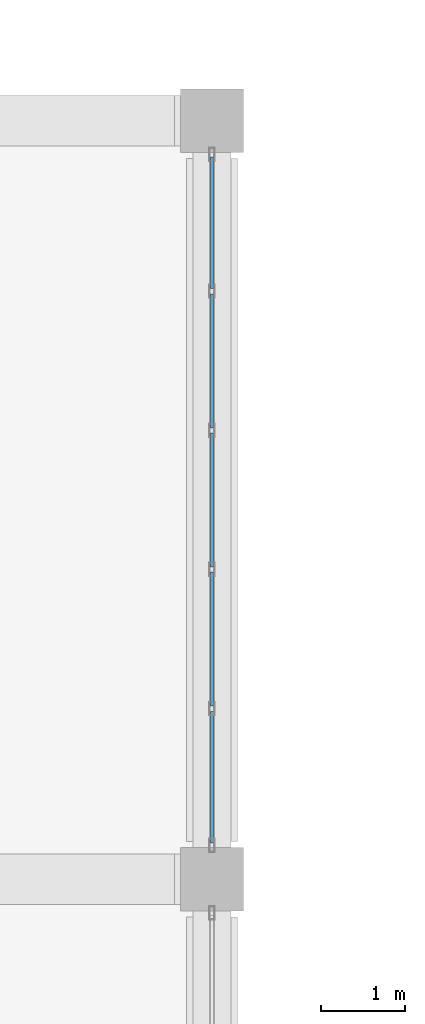
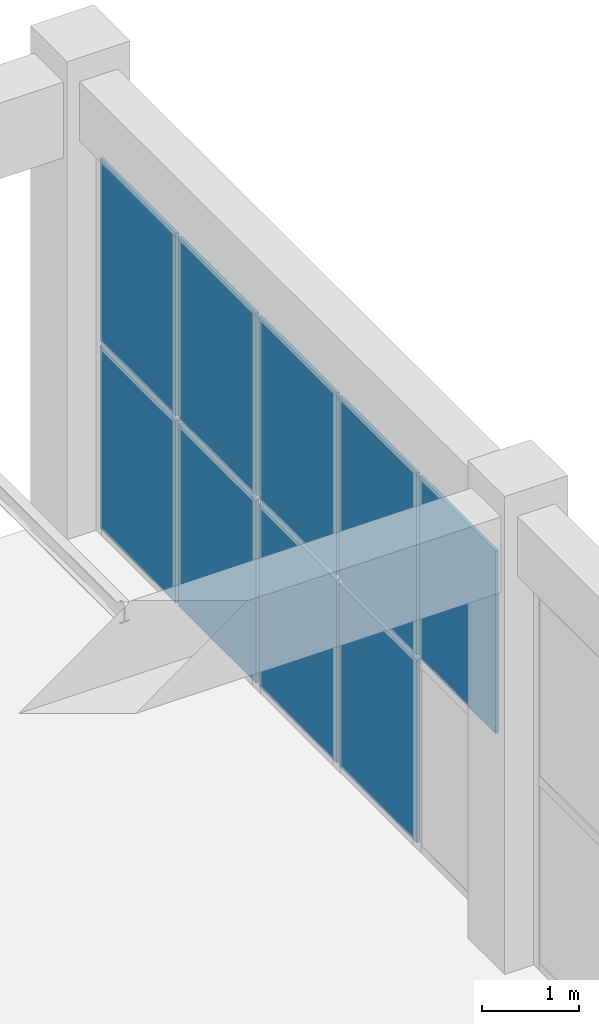
# One storey, part 59 of 91: 9 plates, 1 element without a shape of its own.
"""IFC4 building model written with IfcOpenShell, lengths in metres."""

from ifc_helpers import new_model, si_unit, direction, frame, origin, origin_2d, place, context, subcontext, project, spatial, rectangle, extrude, material, layer, layer_set, type_object, element, aggregate, save


model = new_model("IFC4")

# Units and contexts
model_context = context("Model", 3, precision=1e-05, world=origin(), true_north=direction((0.0, 1.0)))
body_context = subcontext(model_context, "Body", "Model", "MODEL_VIEW")
ifc_project = project(units=[si_unit("LENGTHUNIT", "METRE"), si_unit("AREAUNIT", "SQUARE_METRE"), si_unit("VOLUMEUNIT", "CUBIC_METRE"), si_unit("PLANEANGLEUNIT", "RADIAN"), si_unit("MASSUNIT", "GRAM", prefix="KILO")], contexts=[model_context])

# Site, building, storey
site_placement = place(None, origin())
site = spatial("IfcSite", under=ifc_project, at=site_placement, CompositionType="ELEMENT")
building_placement = place(site_placement, origin())
building = spatial("IfcBuilding", under=site, at=building_placement, Name="Dornveld Trade and Exhibition Forum", CompositionType="ELEMENT")
storey_placement = place(building_placement, origin())
storey = spatial("IfcBuildingStorey", under=building, at=storey_placement, Name="L00", CompositionType="ELEMENT", Elevation=0.0)

# Curtain wall, plates
ifc_material_1 = material(Name="Dark-bronze anodised aluminium and low-E glass", Category="aluminium")
ifc_layer_1 = layer(ifc_material_1, 0.180908203125)
ifc_layer_set_1 = layer_set([ifc_layer_1], Name="Dark-bronze anodised aluminium and low-E glass")
curtain_wall_type = type_object("IfcCurtainWallType", Name="CW-SYS-13", PredefinedType="USERDEFINED", material=ifc_layer_set_1)
curtain_wall_placement = place(storey_placement, origin())
curtain_wall = element("IfcCurtainWall", 1, at=curtain_wall_placement, inside=storey, type_object=curtain_wall_type, Name="L00 unitised curtain wall 103", ObjectType="UNITISED_CURTAIN_WALL", PredefinedType="USERDEFINED")
ifc_material_2 = material(Name="Double-glazed low-E solar control glass", Category="glass")
ifc_layer_2 = layer(ifc_material_2, 0.0380859375)
ifc_layer_set_2 = layer_set([ifc_layer_2], Name="Double-glazed low-E solar control glass")
plate_type = type_object("IfcPlateType", Name="CW-PNL-07", PredefinedType="CURTAIN_PANEL", material=ifc_layer_set_2)
plate_1_placement = place(storey_placement, frame((216.0, 136.2119140625, 2.407958984375), z_axis=(0.0, 0.0, 1.0), x_axis=(0.0, 1.0, 0.0)))
plate_1 = element("IfcPlate", 2, at=plate_1_placement, type_object=plate_type, Name="CW-13 panel 1.2", PredefinedType="CURTAIN_PANEL", context=body_context, shape_type="SweptSolid", body=[
    extrude(rectangle(XDim=1.5615234375, YDim=0.0380859375, at=origin_2d()), origin(), (0.0, 0.0, 1.0), 2.2919921875),
])
plate_2_placement = place(storey_placement, frame((216.0, 137.848388671875, 0.055908203125), z_axis=(0.0, 0.0, 1.0), x_axis=(0.0, 1.0, 0.0)))
plate_2 = element("IfcPlate", 3, at=plate_2_placement, type_object=plate_type, Name="CW-13 panel 2.1", PredefinedType="CURTAIN_PANEL", context=body_context, shape_type="SweptSolid", body=[
    extrude(rectangle(XDim=1.591552734375, YDim=0.0380859375, at=origin_2d()), origin(), (0.0, 0.0, 1.0), 2.2919921875),
])
plate_3_placement = place(storey_placement, frame((216.0, 137.848388671875, 2.407958984375), z_axis=(0.0, 0.0, 1.0), x_axis=(0.0, 1.0, 0.0)))
plate_3 = element("IfcPlate", 4, at=plate_3_placement, type_object=plate_type, Name="CW-13 panel 2.2", PredefinedType="CURTAIN_PANEL", context=body_context, shape_type="SweptSolid", body=[
    extrude(rectangle(XDim=1.591552734375, YDim=0.0380859375, at=origin_2d()), origin(), (0.0, 0.0, 1.0), 2.2919921875),
])
plate_4_placement = place(storey_placement, frame((216.0, 139.5, 0.055908203125), z_axis=(0.0, 0.0, 1.0), x_axis=(0.0, 1.0, 0.0)))
plate_4 = element("IfcPlate", 5, at=plate_4_placement, type_object=plate_type, Name="CW-13 panel 3.1", PredefinedType="CURTAIN_PANEL", context=body_context, shape_type="SweptSolid", body=[
    extrude(rectangle(XDim=1.591552734375, YDim=0.0380859375, at=origin_2d()), origin(), (0.0, 0.0, 1.0), 2.2919921875),
])
plate_5_placement = place(storey_placement, frame((216.0, 139.5, 2.407958984375), z_axis=(0.0, 0.0, 1.0), x_axis=(0.0, 1.0, 0.0)))
plate_5 = element("IfcPlate", 6, at=plate_5_placement, type_object=plate_type, Name="CW-13 panel 3.2", PredefinedType="CURTAIN_PANEL", context=body_context, shape_type="SweptSolid", body=[
    extrude(rectangle(XDim=1.591552734375, YDim=0.0380859375, at=origin_2d()), origin(), (0.0, 0.0, 1.0), 2.2919921875),
])
plate_6_placement = place(storey_placement, frame((216.0, 141.151611328125, 0.055908203125), z_axis=(0.0, 0.0, 1.0), x_axis=(0.0, 1.0, 0.0)))
plate_6 = element("IfcPlate", 7, at=plate_6_placement, type_object=plate_type, Name="CW-13 panel 4.1", PredefinedType="CURTAIN_PANEL", context=body_context, shape_type="SweptSolid", body=[
    extrude(rectangle(XDim=1.591552734375, YDim=0.0380859375, at=origin_2d()), origin(), (0.0, 0.0, 1.0), 2.2919921875),
])
plate_7_placement = place(storey_placement, frame((216.0, 141.151611328125, 2.407958984375), z_axis=(0.0, 0.0, 1.0), x_axis=(0.0, 1.0, 0.0)))
plate_7 = element("IfcPlate", 8, at=plate_7_placement, type_object=plate_type, Name="CW-13 panel 4.2", PredefinedType="CURTAIN_PANEL", context=body_context, shape_type="SweptSolid", body=[
    extrude(rectangle(XDim=1.591552734375, YDim=0.0380859375, at=origin_2d()), origin(), (0.0, 0.0, 1.0), 2.2919921875),
])
plate_8_placement = place(storey_placement, frame((216.0, 142.7880859375, 0.055908203125), z_axis=(0.0, 0.0, 1.0), x_axis=(0.0, 1.0, 0.0)))
plate_8 = element("IfcPlate", 9, at=plate_8_placement, type_object=plate_type, Name="CW-13 panel 5.1", PredefinedType="CURTAIN_PANEL", context=body_context, shape_type="SweptSolid", body=[
    extrude(rectangle(XDim=1.5615234375, YDim=0.0380859375, at=origin_2d()), origin(), (0.0, 0.0, 1.0), 2.2919921875),
])
plate_9_placement = place(storey_placement, frame((216.0, 142.7880859375, 2.407958984375), z_axis=(0.0, 0.0, 1.0), x_axis=(0.0, 1.0, 0.0)))
plate_9 = element("IfcPlate", 10, at=plate_9_placement, type_object=plate_type, Name="CW-13 panel 5.2", PredefinedType="CURTAIN_PANEL", context=body_context, shape_type="SweptSolid", body=[
    extrude(rectangle(XDim=1.5615234375, YDim=0.0380859375, at=origin_2d()), origin(), (0.0, 0.0, 1.0), 2.2919921875),
])
aggregate(curtain_wall, [plate_1, plate_2, plate_3, plate_4, plate_5, plate_6, plate_7, plate_8, plate_9])

save(model, "model.ifc")
